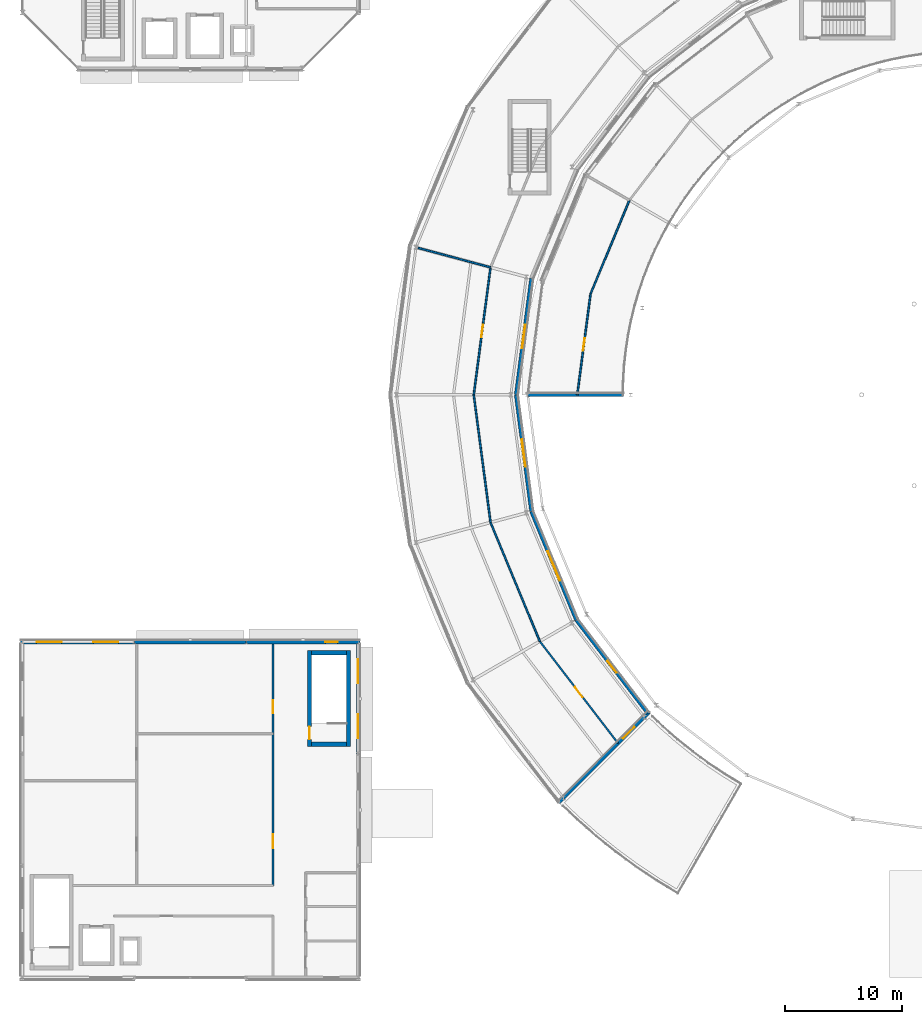
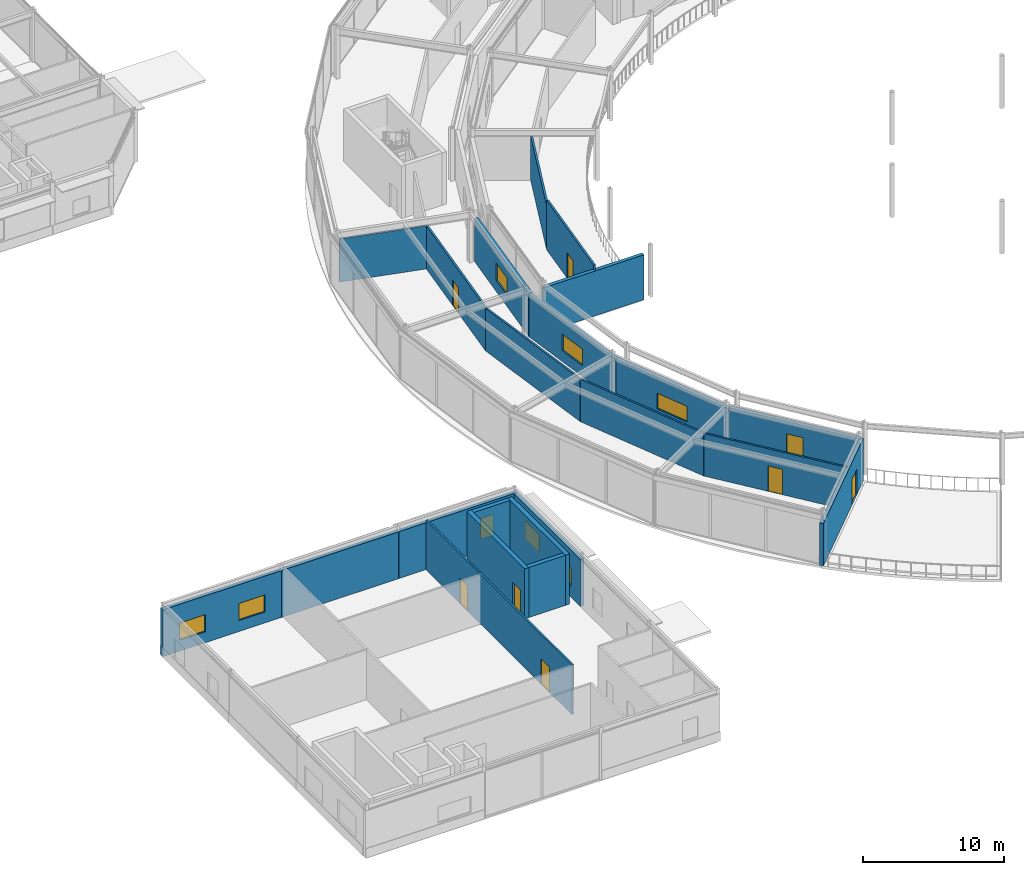
# One storey, part 101 of 133: 22 walls, 9 windows, 7 doors, 16 openings.
"""IFC4 building model written with IfcOpenShell, lengths in metres."""

import ifcopenshell
import ifcopenshell.guid

model = None  # the IFC model being written
_history = None  # IfcOwnerHistory: only IFC2X3 demands one
_inside = {}  # id of a spatial element -> (the spatial element, [elements in it])
_under = {}  # id of a project, library or spatial element -> (it, [spatial elements below it])
_declared = {}  # id of a project -> (the project, [libraries it declares])
_typed = {}  # id of a type object -> (the type object, [elements of that type])
_made_of = {}  # id of a material, layer set ... -> (it, [elements and type objects made of it])


def new_model(schema):
    """Start an empty IFC model of exactly this schema.

    Asked for "IFC4X3", IfcOpenShell would pick the latest addendum, in which some entities
    have other attributes; the version numbers below select the first issue.
    IFC2X3 requires an IfcOwnerHistory on every rooted entity: one is made here for all.
    """
    global model, _history
    if schema == "IFC4X3":
        model = ifcopenshell.file(schema_version=(4, 3, 0, 0))
    else:
        model = ifcopenshell.file(schema=schema)
    _inside.clear()
    _under.clear()
    _declared.clear()
    _typed.clear()
    _made_of.clear()
    _history = None
    if model.schema == "IFC2X3":
        org = make("IfcOrganization", Name="unknown")
        user = make(
            "IfcPersonAndOrganization",
            ThePerson=make("IfcPerson", FamilyName="unknown"),
            TheOrganization=org,
        )
        app = make(
            "IfcApplication",
            ApplicationDeveloper=org,
            Version="unknown",
            ApplicationFullName="unknown",
            ApplicationIdentifier="unknown",
        )
        _history = make(
            "IfcOwnerHistory",
            OwningUser=user,
            OwningApplication=app,
            ChangeAction="ADDED",
            CreationDate=0,
        )
    return model


def make(cls, **values):
    """One entity of the class cls with the attributes given. An attribute that is None is left unset."""
    return model.create_entity(
        cls, **{name: value for name, value in values.items() if value is not None}
    )


def rooted(cls, **values):
    """An entity with a GlobalId (a new one), such as an element, a storey or a relation."""
    return make(cls, GlobalId=ifcopenshell.guid.new(), OwnerHistory=_history, **values)


def si_unit(unit_type, name, prefix=None):
    """IfcSIUnit, for example si_unit("LENGTHUNIT", "METRE", prefix="MILLI")."""
    return make("IfcSIUnit", UnitType=unit_type, Prefix=prefix, Name=name)


def assignment(units):
    """IfcUnitAssignment: the units of a project."""
    return None if units is None else make("IfcUnitAssignment", Units=units)


def point(xyz):
    """IfcCartesianPoint."""
    return None if xyz is None else make("IfcCartesianPoint", Coordinates=xyz)


def direction(xyz):
    """IfcDirection."""
    return None if xyz is None else make("IfcDirection", DirectionRatios=xyz)


def frame(location, z_axis=None, x_axis=None):
    """IfcAxis2Placement3D, a coordinate frame: its origin and axes. An axis left out is left unset."""
    return make(
        "IfcAxis2Placement3D",
        Location=point(location),
        Axis=direction(z_axis),
        RefDirection=direction(x_axis),
    )


def frame_2d(location, x_axis=None):
    """IfcAxis2Placement2D, a coordinate frame in the plane: its origin and x axis."""
    return make(
        "IfcAxis2Placement2D", Location=point(location), RefDirection=direction(x_axis)
    )


def origin():
    """The frame at (0, 0, 0) with its axes left unset."""
    return frame((0.0, 0.0, 0.0))


def place(relative_to, where):
    """IfcLocalPlacement: puts the frame where relative to a parent placement (None: the world)."""
    return make(
        "IfcLocalPlacement", PlacementRelTo=relative_to, RelativePlacement=where
    )


def context(
    kind, dimensions, precision=None, world=None, true_north=None, identifier=None
):
    """IfcGeometricRepresentationContext, for example the 3D "Model" context."""
    return make(
        "IfcGeometricRepresentationContext",
        ContextIdentifier=identifier,
        ContextType=kind,
        CoordinateSpaceDimension=dimensions,
        Precision=precision,
        WorldCoordinateSystem=world,
        TrueNorth=true_north,
    )


def subcontext(parent, identifier, kind, view, scale=None):
    """IfcGeometricRepresentationSubContext, for example "Body" below "Model"."""
    return make(
        "IfcGeometricRepresentationSubContext",
        ContextIdentifier=identifier,
        ContextType=kind,
        ParentContext=parent,
        TargetScale=scale,
        TargetView=view,
    )


def project(units=None, contexts=None):
    """IfcProject with its units and contexts."""
    return rooted(
        "IfcProject",
        Name="project",
        RepresentationContexts=contexts,
        UnitsInContext=assignment(units),
    )


def spatial(cls, under=None, at=None, **own):
    """A site, building, storey or space (cls), placed at a placement, below another one or the project."""
    s = rooted(cls, ObjectPlacement=at, **own)
    if under is not None:
        _under.setdefault(under.id(), (under, []))[1].append(s)
    return s


def profile(cls, at=None, kind="AREA", **sizes):
    """A parametric profile (cls). Its sizes go by their IFC names, for example OverallWidth=200.0."""
    return make(cls, ProfileType=kind, Position=at, **sizes)


def rectangle(**sizes):
    """IfcRectangleProfileDef."""
    return profile("IfcRectangleProfileDef", **sizes)


def extrude(swept, where, along, depth):
    """IfcExtrudedAreaSolid: the profile swept, set in the frame where, extruded along a direction by depth."""
    return make(
        "IfcExtrudedAreaSolid",
        SweptArea=swept,
        Position=where,
        ExtrudedDirection=direction(along),
        Depth=depth,
    )


def shape(context_of_items, identifier, shape_type, items):
    """IfcShapeRepresentation: the items that make up one representation, for example the "Body"."""
    return make(
        "IfcShapeRepresentation",
        ContextOfItems=context_of_items,
        RepresentationIdentifier=identifier,
        RepresentationType=shape_type,
        Items=items,
    )


def material(Name=None, Category=None):
    """IfcMaterial."""
    return make("IfcMaterial", Name=Name, Category=Category)


def layer(
    of_material, thickness, ventilated=None, Name=None, Category=None, Priority=None
):
    """IfcMaterialLayer: one layer of a wall or slab, of a material (None: an air gap)."""
    return make(
        "IfcMaterialLayer",
        Material=of_material,
        LayerThickness=thickness,
        IsVentilated=ventilated,
        Name=Name,
        Category=Category,
        Priority=Priority,
    )


def layer_set(layers, Name=None):
    """IfcMaterialLayerSet."""
    return make("IfcMaterialLayerSet", MaterialLayers=layers, LayerSetName=Name)


def made_of(thing, what):
    """Note that an element or type object is made of a material, layer set ...; save() writes the relation."""
    if what is not None:
        _made_of.setdefault(what.id(), (what, []))[1].append(thing)
    return thing


def type_object(cls, material=None, **own):
    """A type object (cls), such as IfcWallType, which elements share."""
    return made_of(rooted(cls, **own), material)


def element(
    cls,
    number,
    at=None,
    inside=None,
    cuts=None,
    type_object=None,
    material=None,
    context=None,
    identifier="Body",
    shape_type=None,
    held_by="IfcProductDefinitionShape",
    body=None,
    shapes=None,
    **own,
):
    """One element of the class cls, such as IfcWall. Its Tag is "e" and its number.

    at: its placement. inside: the storey or other place that contains it. cuts: it is an
    opening in that element (IfcRelVoidsElement). A single representation is given by context,
    identifier, shape_type and body (its items); several are given by shapes. held_by: the class
    of the entity that holds the representations. save() writes the other relations.
    """
    e = rooted(cls, Tag="e%d" % number, ObjectPlacement=at, **own)
    if body is not None:
        shapes = [shape(context, identifier, shape_type, body)]
    if shapes is not None:
        e.Representation = make(held_by, Representations=shapes)
    if inside is not None:
        _inside.setdefault(inside.id(), (inside, []))[1].append(e)
    if cuts is not None:
        rooted(
            "IfcRelVoidsElement", RelatingBuildingElement=cuts, RelatedOpeningElement=e
        )
    if type_object is not None:
        _typed.setdefault(type_object.id(), (type_object, []))[1].append(e)
    return made_of(e, material)


def fill(opening, filler):
    """IfcRelFillsElement: the door or window that sits in an opening."""
    return rooted(
        "IfcRelFillsElement",
        RelatingOpeningElement=opening,
        RelatedBuildingElement=filler,
    )


def aggregate(whole, parts):
    """IfcRelAggregates: a whole, such as a stair, and the parts it consists of."""
    return rooted("IfcRelAggregates", RelatingObject=whole, RelatedObjects=parts)


def save(model, path):
    """Write the relations noted so far, then the file.

    IfcRelAggregates (storeys below a building ...), IfcRelContainedInSpatialStructure (elements
    in a storey), IfcRelDefinesByType, IfcRelAssociatesMaterial and IfcRelDeclares: one each for
    every whole, place, type object, material and project.
    """
    for whole, parts in _under.values():
        aggregate(whole, parts)
    for where, things in _inside.values():
        rooted(
            "IfcRelContainedInSpatialStructure",
            RelatedElements=things,
            RelatingStructure=where,
        )
    for kind, things in _typed.values():
        rooted("IfcRelDefinesByType", RelatedObjects=things, RelatingType=kind)
    for what, things in _made_of.values():
        rooted("IfcRelAssociatesMaterial", RelatedObjects=things, RelatingMaterial=what)
    for by, libraries in _declared.values():
        rooted("IfcRelDeclares", RelatingContext=by, RelatedDefinitions=libraries)
    model.write(path)


model = new_model("IFC4")

# Units and contexts
model_context = context("Model", 3, precision=1e-05, world=origin(), true_north=direction((0.0, 1.0)))
body_context = subcontext(model_context, "Body", "Model", "MODEL_VIEW")
ifc_project = project(units=[si_unit("LENGTHUNIT", "METRE"), si_unit("AREAUNIT", "SQUARE_METRE"), si_unit("VOLUMEUNIT", "CUBIC_METRE"), si_unit("PLANEANGLEUNIT", "RADIAN"), si_unit("MASSUNIT", "GRAM", prefix="KILO")], contexts=[model_context])

# Site, building, storey
site_placement = place(None, origin())
site = spatial("IfcSite", under=ifc_project, at=site_placement, CompositionType="ELEMENT")
building_placement = place(site_placement, origin())
building = spatial("IfcBuilding", under=site, at=building_placement, Name="Almandine Court Research Institute", CompositionType="ELEMENT")
storey_placement = place(building_placement, frame((0.0, 0.0, 9.800048828125)))
storey = spatial("IfcBuildingStorey", under=building, at=storey_placement, Name="L02", CompositionType="ELEMENT", Elevation=9.800048828125)

# Wall, openings, windows
ifc_material_1 = material(Name="Acoustic Lecture Pavilion Masonry Wall", Category="masonry")
ifc_layer_1 = layer(ifc_material_1, 0.31005859375)
ifc_layer_set_1 = layer_set([ifc_layer_1], Name="Acoustic Lecture Pavilion Masonry Wall")
wall_type_1 = type_object("IfcWallType", Name="Wall-EXT-ACOU-310", PredefinedType="SOLIDWALL", material=ifc_layer_set_1)
wall_1_placement = place(storey_placement, frame((5.844970703125, 34.800048828125, 0.0), z_axis=(0.0, 0.0, 1.0), x_axis=(1.0, 0.0, 0.0)))
wall_1 = element("IfcWall", 1, at=wall_1_placement, inside=storey, type_object=wall_type_1, Name="L02 Lecture Pavilion North Wall 1", PredefinedType="SOLIDWALL", context=body_context, shape_type="SweptSolid", body=[
    extrude(rectangle(XDim=9.7509765625, YDim=0.31005859375, at=frame_2d((4.87548828125, 0.0))), origin(), (0.0, 0.0, 1.0), 4.06396484375),
])
opening_1_placement = place(wall_1_placement, frame((1.363037109375, 0.0, 0.949951171875)))
opening_1 = element("IfcOpeningElement", 2, at=opening_1_placement, cuts=wall_1, Name="Opening WN-15", PredefinedType="OPENING", context=body_context, shape_type="SweptSolid", body=[
    extrude(rectangle(XDim=2.14990234375, YDim=1.47998046875, at=frame_2d((1.074951171875, 0.739990234375))), frame((0.0, 0.1650390625, 0.0), z_axis=(0.0, -1.0, 0.0), x_axis=(1.0, 0.0, 0.0)), (0.0, 0.0, 1.0), 0.330078125),
])
opening_2_placement = place(wall_1_placement, frame((6.238037109375, 0.0, 0.949951171875)))
opening_2 = element("IfcOpeningElement", 3, at=opening_2_placement, cuts=wall_1, Name="Opening WN-15", PredefinedType="OPENING", context=body_context, shape_type="SweptSolid", body=[
    extrude(rectangle(XDim=2.14990234375, YDim=1.47998046875, at=frame_2d((1.074951171875, 0.739990234375))), frame((0.0, 0.1650390625, 0.0), z_axis=(0.0, -1.0, 0.0), x_axis=(1.0, 0.0, 0.0)), (0.0, 0.0, 1.0), 0.330078125),
])
ifc_material_2 = material(Name="Thermally Broken Low-E Double-Glazed Window", Category="glass")
window_type_1 = type_object("IfcWindowType", Name="Win-WN-15-2150x1480", PartitioningType="SINGLE_PANEL", PredefinedType="WINDOW", material=ifc_material_2)
window_1_placement = place(opening_1_placement, origin())
window_1 = element("IfcWindow", 4, at=window_1_placement, inside=storey, type_object=window_type_1, Name="L02 Modular Recessed Low-E Window 26", OverallHeight=1.47998046875, OverallWidth=2.14990234375, PartitioningType="SINGLE_PANEL", PredefinedType="WINDOW", context=body_context, shape_type="SweptSolid", body=[
    extrude(rectangle(XDim=2.14990234375, YDim=1.47998046875, at=frame_2d((1.074951171875, 0.739990234375))), frame((0.0, 0.030029296875, 0.0), z_axis=(0.0, -1.0, 0.0), x_axis=(1.0, 0.0, 0.0)), (0.0, 0.0, 1.0), 0.06005859375),
])
fill(opening_1, window_1)
window_2_placement = place(opening_2_placement, origin())
window_2 = element("IfcWindow", 5, at=window_2_placement, inside=storey, type_object=window_type_1, Name="L02 Modular Recessed Low-E Window 27", OverallHeight=1.47998046875, OverallWidth=2.14990234375, PartitioningType="SINGLE_PANEL", PredefinedType="WINDOW", context=body_context, shape_type="SweptSolid", body=[
    extrude(rectangle(XDim=2.14990234375, YDim=1.47998046875, at=frame_2d((1.074951171875, 0.739990234375))), frame((0.0, 0.030029296875, 0.0), z_axis=(0.0, -1.0, 0.0), x_axis=(1.0, 0.0, 0.0)), (0.0, 0.0, 1.0), 0.06005859375),
])
fill(opening_2, window_2)

# Wall
wall_2_placement = place(storey_placement, frame((15.60400390625, 34.800048828125, 0.0), z_axis=(0.0, 0.0, 1.0), x_axis=(1.0, 0.0, 0.0)))
element("IfcWall", 6, at=wall_2_placement, inside=storey, type_object=wall_type_1, Name="L02 Lecture Pavilion North Wall 2", PredefinedType="SOLIDWALL", context=body_context, shape_type="SweptSolid", body=[
    extrude(rectangle(XDim=9.592041015625, YDim=0.31005859375, at=frame_2d((4.7958984375, 0.0))), origin(), (0.0, 0.0, 1.0), 4.06396484375),
])

# Wall, opening, window
wall_3_placement = place(storey_placement, frame((25.2041015625, 34.800048828125, 0.0), z_axis=(0.0, 0.0, 1.0), x_axis=(1.0, 0.0, 0.0)))
wall_3 = element("IfcWall", 7, at=wall_3_placement, inside=storey, type_object=wall_type_1, Name="L02 Lecture Pavilion North Wall 3", PredefinedType="SOLIDWALL", context=body_context, shape_type="SweptSolid", body=[
    extrude(rectangle(XDim=9.7509765625, YDim=0.31005859375, at=frame_2d((4.87548828125, 0.0))), origin(), (0.0, 0.0, 1.0), 4.06396484375),
])
opening_3_placement = place(wall_3_placement, frame((6.7880859375, 0.0, 0.949951171875)))
opening_3 = element("IfcOpeningElement", 8, at=opening_3_placement, cuts=wall_3, Name="Opening WN-16", PredefinedType="OPENING", context=body_context, shape_type="SweptSolid", body=[
    extrude(rectangle(XDim=1.050048828125, YDim=1.800048828125, at=frame_2d((0.52490234375, 0.89990234375))), frame((0.0, 0.1650390625, 0.0), z_axis=(0.0, -1.0, 0.0), x_axis=(1.0, 0.0, 0.0)), (0.0, 0.0, 1.0), 0.330078125),
])
window_type_2 = type_object("IfcWindowType", Name="Win-WN-16-1050x1800", PartitioningType="SINGLE_PANEL", PredefinedType="WINDOW", material=ifc_material_2)
window_3_placement = place(opening_3_placement, origin())
window_3 = element("IfcWindow", 9, at=window_3_placement, inside=storey, type_object=window_type_2, Name="L02 Modular Recessed Low-E Window 28", OverallHeight=1.800048828125, OverallWidth=1.050048828125, PartitioningType="SINGLE_PANEL", PredefinedType="WINDOW", context=body_context, shape_type="SweptSolid", body=[
    extrude(rectangle(XDim=1.050048828125, YDim=1.800048828125, at=frame_2d((0.52490234375, 0.89990234375))), frame((0.0, 0.030029296875, 0.0), z_axis=(0.0, -1.0, 0.0), x_axis=(1.0, 0.0, 0.0)), (0.0, 0.0, 1.0), 0.06005859375),
])
fill(opening_3, window_3)

# Wall, openings, windows
ifc_material_3 = material(Name="Insulated Ochre Terracotta Rainscreen Wall", Category="masonry")
ifc_layer_2 = layer(ifc_material_3, 0.2900390625)
ifc_layer_set_2 = layer_set([ifc_layer_2], Name="Insulated Ochre Terracotta Rainscreen Wall")
wall_type_2 = type_object("IfcWallType", Name="Wall-EXT-TERR-290", PredefinedType="SOLIDWALL", material=ifc_layer_set_2)
wall_4_placement = place(storey_placement, frame((34.800048828125, 34.65087890625, 0.0), z_axis=(0.0, 0.0, 1.0), x_axis=(0.0, -1.0, 0.0)))
wall_4 = element("IfcWall", 10, at=wall_4_placement, inside=storey, type_object=wall_type_2, Name="L02 Lecture Pavilion East Wall 3", PredefinedType="SOLIDWALL", context=body_context, shape_type="SweptSolid", body=[
    extrude(rectangle(XDim=9.44677734375, YDim=0.2900390625, at=frame_2d((4.723388671875, 0.0))), origin(), (0.0, 0.0, 1.0), 4.06396484375),
])
opening_4_placement = place(wall_4_placement, frame((1.342041015625, 0.0, 0.949951171875)))
opening_4 = element("IfcOpeningElement", 11, at=opening_4_placement, cuts=wall_4, Name="Opening WN-18", PredefinedType="OPENING", context=body_context, shape_type="SweptSolid", body=[
    extrude(rectangle(XDim=2.0400390625, YDim=1.56005859375, at=frame_2d((1.02001953125, 0.780029296875))), frame((0.0, 0.155029296875, 0.0), z_axis=(0.0, -1.0, 0.0), x_axis=(1.0, 0.0, 0.0)), (0.0, 0.0, 1.0), 0.31005859375),
])
opening_5_placement = place(wall_4_placement, frame((6.06494140625, 0.0, 0.949951171875)))
opening_5 = element("IfcOpeningElement", 12, at=opening_5_placement, cuts=wall_4, Name="Opening WN-18", PredefinedType="OPENING", context=body_context, shape_type="SweptSolid", body=[
    extrude(rectangle(XDim=2.0400390625, YDim=1.56005859375, at=frame_2d((1.02001953125, 0.780029296875))), frame((0.0, 0.155029296875, 0.0), z_axis=(0.0, -1.0, 0.0), x_axis=(1.0, 0.0, 0.0)), (0.0, 0.0, 1.0), 0.31005859375),
])
window_type_3 = type_object("IfcWindowType", Name="Win-WN-18-2040x1560", PartitioningType="SINGLE_PANEL", PredefinedType="WINDOW", material=ifc_material_2)
window_4_placement = place(opening_4_placement, origin())
window_4 = element("IfcWindow", 13, at=window_4_placement, inside=storey, type_object=window_type_3, Name="L02 Modular Recessed Low-E Window 31", OverallHeight=1.56005859375, OverallWidth=2.0400390625, PartitioningType="SINGLE_PANEL", PredefinedType="WINDOW", context=body_context, shape_type="SweptSolid", body=[
    extrude(rectangle(XDim=2.0400390625, YDim=1.56005859375, at=frame_2d((1.02001953125, 0.780029296875))), frame((0.0, 0.030029296875, 0.0), z_axis=(0.0, -1.0, 0.0), x_axis=(1.0, 0.0, 0.0)), (0.0, 0.0, 1.0), 0.06005859375),
])
fill(opening_4, window_4)
window_5_placement = place(opening_5_placement, origin())
window_5 = element("IfcWindow", 14, at=window_5_placement, inside=storey, type_object=window_type_3, Name="L02 Modular Recessed Low-E Window 32", OverallHeight=1.56005859375, OverallWidth=2.0400390625, PartitioningType="SINGLE_PANEL", PredefinedType="WINDOW", context=body_context, shape_type="SweptSolid", body=[
    extrude(rectangle(XDim=2.0400390625, YDim=1.56005859375, at=frame_2d((1.02001953125, 0.780029296875))), frame((0.0, 0.030029296875, 0.0), z_axis=(0.0, -1.0, 0.0), x_axis=(1.0, 0.0, 0.0)), (0.0, 0.0, 1.0), 0.06005859375),
])
fill(opening_5, window_5)

# Wall, opening, window
wall_5_placement = place(storey_placement, frame((49.656005859375, 66.0, 0.0), z_axis=(0.0, 0.0, 1.0), x_axis=(-0.130450126879, -0.991454872597, 0.0)))
wall_5 = element("IfcWall", 15, at=wall_5_placement, inside=storey, type_object=wall_type_2, Name="L02 Drum Inner Gallery Wall 11", PredefinedType="SOLIDWALL", context=body_context, shape_type="SweptSolid", body=[
    extrude(rectangle(XDim=10.080078125, YDim=0.2900390625, at=frame_2d((5.0400390625, 0.0))), origin(), (0.0, 0.0, 1.0), 3.73291015625),
])
opening_6_placement = place(wall_5_placement, frame((4.02001953125, 0.0, 0.949951171875)))
opening_6 = element("IfcOpeningElement", 16, at=opening_6_placement, cuts=wall_5, Name="Opening WN-24", PredefinedType="OPENING", context=body_context, shape_type="SweptSolid", body=[
    extrude(rectangle(XDim=2.0400390625, YDim=1.510009765625, at=frame_2d((1.02001953125, 0.7548828125))), frame((0.0, 0.155029296875, 0.0), z_axis=(0.0, -1.0, 0.0), x_axis=(1.0, 0.0, 0.0)), (0.0, 0.0, 1.0), 0.31005859375),
])
window_type_4 = type_object("IfcWindowType", Name="Win-WN-24-2040x1510", PartitioningType="SINGLE_PANEL", PredefinedType="WINDOW", material=ifc_material_2)
window_6_placement = place(opening_6_placement, origin())
window_6 = element("IfcWindow", 17, at=window_6_placement, inside=storey, type_object=window_type_4, Name="L02 Modular Recessed Low-E Window 271", OverallHeight=1.510009765625, OverallWidth=2.0400390625, PartitioningType="SINGLE_PANEL", PredefinedType="WINDOW", context=body_context, shape_type="SweptSolid", body=[
    extrude(rectangle(XDim=2.0400390625, YDim=1.510009765625, at=frame_2d((1.02001953125, 0.7548828125))), frame((0.0, 0.030029296875, 0.0), z_axis=(0.0, -1.0, 0.0), x_axis=(1.0, 0.0, 0.0)), (0.0, 0.0, 1.0), 0.06005859375),
])
fill(opening_6, window_6)

wall_6_placement = place(storey_placement, frame((48.341064453125, 55.993896484375, 0.0), z_axis=(0.0, 0.0, 1.0), x_axis=(0.130450126879, -0.991454872597, 0.0)))
wall_6 = element("IfcWall", 18, at=wall_6_placement, inside=storey, type_object=wall_type_2, Name="L02 Drum Inner Gallery Wall 12", PredefinedType="SOLIDWALL", context=body_context, shape_type="SweptSolid", body=[
    extrude(rectangle(XDim=10.080078125, YDim=0.2900390625, at=frame_2d((5.0400390625, 0.0))), origin(), (0.0, 0.0, 1.0), 3.68603515625),
])
opening_7_placement = place(wall_6_placement, frame((3.85498046875, 0.0, 0.949951171875)))
opening_7 = element("IfcOpeningElement", 19, at=opening_7_placement, cuts=wall_6, Name="Opening WN-25", PredefinedType="OPENING", context=body_context, shape_type="SweptSolid", body=[
    extrude(rectangle(XDim=2.3701171875, YDim=1.429931640625, at=frame_2d((1.18505859375, 0.71484375))), frame((0.0, 0.155029296875, 0.0), z_axis=(0.0, -1.0, 0.0), x_axis=(1.0, 0.0, 0.0)), (0.0, 0.0, 1.0), 0.31005859375),
])
window_type_5 = type_object("IfcWindowType", Name="Win-WN-25-2370x1430", PartitioningType="SINGLE_PANEL", PredefinedType="WINDOW", material=ifc_material_2)
window_7_placement = place(opening_7_placement, origin())
window_7 = element("IfcWindow", 20, at=window_7_placement, inside=storey, type_object=window_type_5, Name="L02 Modular Recessed Low-E Window 272", OverallHeight=1.429931640625, OverallWidth=2.3701171875, PartitioningType="SINGLE_PANEL", PredefinedType="WINDOW", context=body_context, shape_type="SweptSolid", body=[
    extrude(rectangle(XDim=2.3701171875, YDim=1.429931640625, at=frame_2d((1.18505859375, 0.71484375))), frame((0.0, 0.030029296875, 0.0), z_axis=(0.0, -1.0, 0.0), x_axis=(1.0, 0.0, 0.0)), (0.0, 0.0, 1.0), 0.06005859375),
])
fill(opening_7, window_7)

wall_7_placement = place(storey_placement, frame((49.658935546875, 45.988037109375, 0.0), z_axis=(0.0, 0.0, 1.0), x_axis=(0.382733240508, -0.92385889973, 0.0)))
wall_7 = element("IfcWall", 21, at=wall_7_placement, inside=storey, type_object=wall_type_2, Name="L02 Drum Inner Gallery Wall 13", PredefinedType="SOLIDWALL", context=body_context, shape_type="SweptSolid", body=[
    extrude(rectangle(XDim=10.08056640625, YDim=0.2900390625, at=frame_2d((5.040283203125, 0.0))), origin(), (0.0, 0.0, 1.0), 3.68603515625),
])
opening_8_placement = place(wall_7_placement, frame((3.68994140625, 0.0, 0.949951171875)))
opening_8 = element("IfcOpeningElement", 22, at=opening_8_placement, cuts=wall_7, Name="Opening WN-40", PredefinedType="OPENING", context=body_context, shape_type="SweptSolid", body=[
    extrude(rectangle(XDim=2.699951171875, YDim=1.35009765625, at=frame_2d((1.35009765625, 0.675048828125))), frame((0.0, 0.155029296875, 0.0), z_axis=(0.0, -1.0, 0.0), x_axis=(1.0, 0.0, 0.0)), (0.0, 0.0, 1.0), 0.31005859375),
])
window_type_6 = type_object("IfcWindowType", Name="Win-WN-40-2700x1350", PartitioningType="SINGLE_PANEL", PredefinedType="WINDOW", material=ifc_material_2)
window_8_placement = place(opening_8_placement, origin())
window_8 = element("IfcWindow", 23, at=window_8_placement, inside=storey, type_object=window_type_6, Name="L02 Modular Recessed Low-E Window 273", OverallHeight=1.35009765625, OverallWidth=2.699951171875, PartitioningType="SINGLE_PANEL", PredefinedType="WINDOW", context=body_context, shape_type="SweptSolid", body=[
    extrude(rectangle(XDim=2.699951171875, YDim=1.35009765625, at=frame_2d((1.35009765625, 0.675048828125))), frame((0.0, 0.030029296875, 0.0), z_axis=(0.0, -1.0, 0.0), x_axis=(1.0, 0.0, 0.0)), (0.0, 0.0, 1.0), 0.06005859375),
])
fill(opening_8, window_8)

wall_8_placement = place(storey_placement, frame((53.52294921875, 36.6650390625, 0.0), z_axis=(0.0, 0.0, 1.0), x_axis=(0.608737604027, -0.793371621275, 0.0)))
wall_8 = element("IfcWall", 24, at=wall_8_placement, inside=storey, type_object=wall_type_2, Name="L02 Drum Inner Gallery Wall 14", PredefinedType="SOLIDWALL", context=body_context, shape_type="SweptSolid", body=[
    extrude(rectangle(XDim=10.079833984375, YDim=0.2900390625, at=frame_2d((5.0400390625, 0.0))), origin(), (0.0, 0.0, 1.0), 3.76806640625),
])
opening_9_placement = place(wall_8_placement, frame((4.405029296875, 0.0, 0.949951171875)))
opening_9 = element("IfcOpeningElement", 25, at=opening_9_placement, cuts=wall_8, Name="Opening WN-41", PredefinedType="OPENING", context=body_context, shape_type="SweptSolid", body=[
    extrude(rectangle(XDim=1.27001953125, YDim=1.75, at=frame_2d((0.635009765625, 0.875))), frame((0.0, 0.155029296875, 0.0), z_axis=(0.0, -1.0, 0.0), x_axis=(1.0, 0.0, 0.0)), (0.0, 0.0, 1.0), 0.31005859375),
])
window_type_7 = type_object("IfcWindowType", Name="Win-WN-41-1270x1750", PartitioningType="SINGLE_PANEL", PredefinedType="WINDOW", material=ifc_material_2)
window_9_placement = place(opening_9_placement, origin())
window_9 = element("IfcWindow", 26, at=window_9_placement, inside=storey, type_object=window_type_7, Name="L02 Modular Recessed Low-E Window 274", OverallHeight=1.75, OverallWidth=1.27001953125, PartitioningType="SINGLE_PANEL", PredefinedType="WINDOW", context=body_context, shape_type="SweptSolid", body=[
    extrude(rectangle(XDim=1.27001953125, YDim=1.75, at=frame_2d((0.635009765625, 0.875))), frame((0.0, 0.030029296875, 0.0), z_axis=(0.0, -1.0, 0.0), x_axis=(1.0, 0.0, 0.0)), (0.0, 0.0, 1.0), 0.06005859375),
])
fill(opening_9, window_9)

# Wall, opening, door
wall_9_placement = place(storey_placement, frame((52.014892578125, 21.014892578125, 0.0), z_axis=(0.0, 0.0, 1.0), x_axis=(0.707106781187, 0.707106781187, 0.0)))
wall_9 = element("IfcWall", 27, at=wall_9_placement, inside=storey, type_object=wall_type_2, Name="L02 Drum Radial End Wall END", PredefinedType="SOLIDWALL", context=body_context, shape_type="SweptSolid", body=[
    extrude(rectangle(XDim=10.951904296875, YDim=0.2900390625, at=frame_2d((5.47607421875, 0.0))), origin(), (0.0, 0.0, 1.0), 3.68603515625),
])
opening_10_placement = place(wall_9_placement, frame((7.800048828125, 0.0, 0.0)))
opening_10 = element("IfcOpeningElement", 28, at=opening_10_placement, cuts=wall_9, Name="Opening TD-01", PredefinedType="OPENING", context=body_context, shape_type="SweptSolid", body=[
    extrude(rectangle(XDim=1.39990234375, YDim=2.199951171875, at=frame_2d((0.699951171875, 1.10009765625))), frame((0.0, 0.155029296875, 0.0), z_axis=(0.0, -1.0, 0.0), x_axis=(1.0, 0.0, 0.0)), (0.0, 0.0, 1.0), 0.31005859375),
])
ifc_material_4 = material(Name="Thermally Broken Glazed Terrace Door")
door_type_1 = type_object("IfcDoorType", Name="Door-TER-1400", OperationType="DOUBLE_DOOR_SINGLE_SWING", PredefinedType="DOOR", material=ifc_material_4)
door_1_placement = place(opening_10_placement, origin())
door_1 = element("IfcDoor", 29, at=door_1_placement, inside=storey, type_object=door_type_1, Name="L02 Drum END Stepped Ring Terrace Door", OperationType="DOUBLE_DOOR_SINGLE_SWING", OverallHeight=2.199951171875, OverallWidth=1.39990234375, PredefinedType="DOOR", context=body_context, shape_type="SweptSolid", body=[
    extrude(rectangle(XDim=1.39990234375, YDim=2.199951171875, at=frame_2d((0.699951171875, 1.10009765625))), frame((0.0, 0.02490234375, 0.0), z_axis=(0.0, -1.0, 0.0), x_axis=(1.0, 0.0, 0.0)), (0.0, 0.0, 1.0), 0.050048828125),
])
fill(opening_10, door_1)

# Wall
wall_10_placement = place(storey_placement, frame((49.3740234375, 56.0, 0.0), z_axis=(0.0, 0.0, 1.0), x_axis=(1.0, 0.0, 0.0)))
element("IfcWall", 30, at=wall_10_placement, inside=storey, type_object=wall_type_2, Name="L02 Atrium Gallery End Wall END", PredefinedType="SOLIDWALL", context=body_context, shape_type="SweptSolid", body=[
    extrude(rectangle(XDim=8.201904296875, YDim=0.2900390625, at=frame_2d((4.10107421875, 0.0))), origin(), (0.0, 0.0, 1.0), 3.89306640625),
])

# Wall, openings, doors
ifc_material_5 = material(Name="Acoustic Steel-Stud Gypsum Partition Wall", Category="steel")
ifc_layer_3 = layer(ifc_material_5, 0.14990234375)
ifc_layer_set_3 = layer_set([ifc_layer_3], Name="Acoustic Steel-Stud Gypsum Partition Wall")
wall_type_3 = type_object("IfcWallType", Name="Wall-PART-150", PredefinedType="PARTITIONING", material=ifc_layer_set_3)
wall_11_placement = place(storey_placement, frame((27.5, 13.89990234375, 0.0), z_axis=(0.0, 0.0, 1.0), x_axis=(0.0, 1.0, 0.0)))
wall_11 = element("IfcWall", 31, at=wall_11_placement, inside=storey, type_object=wall_type_3, Name="L02 Interior Partition W-V1-L02-E", PredefinedType="PARTITIONING", context=body_context, shape_type="SweptSolid", body=[
    extrude(rectangle(XDim=20.739990234375, YDim=0.14990234375, at=frame_2d((10.3701171875, 0.0))), origin(), (0.0, 0.0, 1.0), 4.300048828125),
])
opening_11_placement = place(wall_11_placement, frame((3.199951171875, 0.0, 0.0)))
opening_11 = element("IfcOpeningElement", 32, at=opening_11_placement, cuts=wall_11, Name="Opening D-04", PredefinedType="OPENING", context=body_context, shape_type="SweptSolid", body=[
    extrude(rectangle(XDim=1.199951171875, YDim=2.199951171875, at=frame_2d((0.60009765625, 1.10009765625))), frame((0.0, 0.0849609375, 0.0), z_axis=(0.0, -1.0, 0.0), x_axis=(1.0, 0.0, 0.0)), (0.0, 0.0, 1.0), 0.169921875),
])
opening_12_placement = place(wall_11_placement, frame((14.800048828125, 0.0, 0.0)))
opening_12 = element("IfcOpeningElement", 33, at=opening_12_placement, cuts=wall_11, Name="Opening D-03", PredefinedType="OPENING", context=body_context, shape_type="SweptSolid", body=[
    extrude(rectangle(XDim=1.10009765625, YDim=2.199951171875, at=frame_2d((0.550048828125, 1.10009765625))), frame((0.0, 0.0849609375, 0.0), z_axis=(0.0, -1.0, 0.0), x_axis=(1.0, 0.0, 0.0)), (0.0, 0.0, 1.0), 0.169921875),
])
ifc_material_6 = material(Name="Acoustic Vision-Panel Seminar Door")
door_type_2 = type_object("IfcDoorType", Name="Door-INT-1100", OperationType="NOTDEFINED", PredefinedType="DOOR", material=ifc_material_6)
door_2_placement = place(opening_12_placement, origin())
door_2 = element("IfcDoor", 34, at=door_2_placement, inside=storey, type_object=door_type_2, Name="L02 Seminar Room Door", OperationType="SINGLE_SWING_LEFT", OverallHeight=2.199951171875, OverallWidth=1.10009765625, PredefinedType="DOOR", context=body_context, shape_type="SweptSolid", body=[
    extrude(rectangle(XDim=1.10009765625, YDim=2.199951171875, at=frame_2d((0.550048828125, 1.10009765625))), frame((0.0, 0.02490234375, 0.0), z_axis=(0.0, -1.0, 0.0), x_axis=(1.0, 0.0, 0.0)), (0.0, 0.0, 1.0), 0.050048828125),
])
fill(opening_12, door_2)
ifc_material_7 = material(Name="Wide Acoustic Laboratory Suite Door")
door_type_3 = type_object("IfcDoorType", Name="Door-INT-1200", OperationType="NOTDEFINED", PredefinedType="DOOR", material=ifc_material_7)
door_3_placement = place(opening_11_placement, origin())
door_3 = element("IfcDoor", 35, at=door_3_placement, inside=storey, type_object=door_type_3, Name="L02 Colloquium Hall Door", OperationType="SINGLE_SWING_RIGHT", OverallHeight=2.199951171875, OverallWidth=1.199951171875, PredefinedType="DOOR", context=body_context, shape_type="SweptSolid", body=[
    extrude(rectangle(XDim=1.199951171875, YDim=2.199951171875, at=frame_2d((0.60009765625, 1.10009765625))), frame((0.0, 0.02490234375, 0.0), z_axis=(0.0, -1.0, 0.0), x_axis=(1.0, 0.0, 0.0)), (0.0, 0.0, 1.0), 0.050048828125),
])
fill(opening_11, door_3)

# Wall, opening, door
wall_12_placement = place(storey_placement, frame((46.160888671875, 66.943115234375, 0.0), z_axis=(0.0, 0.0, 1.0), x_axis=(-0.130546632054, -0.991442170204, 0.0)))
wall_12 = element("IfcWall", 36, at=wall_12_placement, inside=storey, type_object=wall_type_3, Name="L02 Interior Partition W-V5-L02-CHD-11", PredefinedType="PARTITIONING", context=body_context, shape_type="SweptSolid", body=[
    extrude(rectangle(XDim=11.03759765625, YDim=0.14990234375, at=frame_2d((5.518798828125, 0.0))), origin(), (0.0, 0.0, 1.0), 3.737060546875),
])
opening_13_placement = place(wall_12_placement, frame((4.949951171875, 0.0, 0.0)))
opening_13 = element("IfcOpeningElement", 37, at=opening_13_placement, cuts=wall_12, Name="Opening D-03", PredefinedType="OPENING", context=body_context, shape_type="SweptSolid", body=[
    extrude(rectangle(XDim=1.10009765625, YDim=2.199951171875, at=frame_2d((0.550048828125, 1.10009765625))), frame((0.0, 0.0849609375, 0.0), z_axis=(0.0, -1.0, 0.0), x_axis=(1.0, 0.0, 0.0)), (0.0, 0.0, 1.0), 0.169921875),
])
door_4_placement = place(opening_13_placement, origin())
door_4 = element("IfcDoor", 38, at=door_4_placement, inside=storey, type_object=door_type_2, Name="L02 Drum Calibration Suite Door", OperationType="SINGLE_SWING_LEFT", OverallHeight=2.199951171875, OverallWidth=1.10009765625, PredefinedType="DOOR", context=body_context, shape_type="SweptSolid", body=[
    extrude(rectangle(XDim=1.10009765625, YDim=2.199951171875, at=frame_2d((0.550048828125, 1.10009765625))), frame((0.0, 0.02490234375, 0.0), z_axis=(0.0, -1.0, 0.0), x_axis=(1.0, 0.0, 0.0)), (0.0, 0.0, 1.0), 0.050048828125),
])
fill(opening_13, door_4)

# Walls
wall_13_placement = place(storey_placement, frame((44.719970703125, 56.0, 0.0), z_axis=(0.0, 0.0, 1.0), x_axis=(0.130546632054, -0.991442170204, 0.0)))
element("IfcWall", 39, at=wall_13_placement, inside=storey, type_object=wall_type_3, Name="L02 Interior Partition W-V5-L02-CHD-12", PredefinedType="PARTITIONING", context=body_context, shape_type="SweptSolid", body=[
    extrude(rectangle(XDim=11.03759765625, YDim=0.14990234375, at=frame_2d((5.518798828125, 0.0))), origin(), (0.0, 0.0, 1.0), 3.68994140625),
])
wall_14_placement = place(storey_placement, frame((46.160888671875, 45.056884765625, 0.0), z_axis=(0.0, 0.0, 1.0), x_axis=(0.382644845446, -0.923895514793, 0.0)))
element("IfcWall", 40, at=wall_14_placement, inside=storey, type_object=wall_type_3, Name="L02 Interior Partition W-V5-L02-CHD-13", PredefinedType="PARTITIONING", context=body_context, shape_type="SweptSolid", body=[
    extrude(rectangle(XDim=11.03662109375, YDim=0.14990234375, at=frame_2d((5.518310546875, 0.0))), origin(), (0.0, 0.0, 1.0), 3.68994140625),
])

# Wall, opening, door
wall_15_placement = place(storey_placement, frame((50.384033203125, 34.860107421875, 0.0), z_axis=(0.0, 0.0, 1.0), x_axis=(0.608828497024, -0.793301872689, 0.0)))
wall_15 = element("IfcWall", 41, at=wall_15_placement, inside=storey, type_object=wall_type_3, Name="L02 Interior Partition W-V5-L02-CHD-14", PredefinedType="PARTITIONING", context=body_context, shape_type="SweptSolid", body=[
    extrude(rectangle(XDim=11.03759765625, YDim=0.14990234375, at=frame_2d((5.518798828125, 0.0))), origin(), (0.0, 0.0, 1.0), 3.68994140625),
])
opening_14_placement = place(wall_15_placement, frame((4.949951171875, 0.0, 0.0)))
opening_14 = element("IfcOpeningElement", 42, at=opening_14_placement, cuts=wall_15, Name="Opening D-03", PredefinedType="OPENING", context=body_context, shape_type="SweptSolid", body=[
    extrude(rectangle(XDim=1.10009765625, YDim=2.199951171875, at=frame_2d((0.550048828125, 1.10009765625))), frame((0.0, 0.0849609375, 0.0), z_axis=(0.0, -1.0, 0.0), x_axis=(1.0, 0.0, 0.0)), (0.0, 0.0, 1.0), 0.169921875),
])
door_5_placement = place(opening_14_placement, origin())
door_5 = element("IfcDoor", 43, at=door_5_placement, inside=storey, type_object=door_type_2, Name="L02 Drum Write-up Office Door", OperationType="SINGLE_SWING_RIGHT", OverallHeight=2.199951171875, OverallWidth=1.10009765625, PredefinedType="DOOR", context=body_context, shape_type="SweptSolid", body=[
    extrude(rectangle(XDim=1.10009765625, YDim=2.199951171875, at=frame_2d((0.550048828125, 1.10009765625))), frame((0.0, 0.02490234375, 0.0), z_axis=(0.0, -1.0, 0.0), x_axis=(1.0, 0.0, 0.0)), (0.0, 0.0, 1.0), 0.050048828125),
])
fill(opening_14, door_5)

# Walls
wall_16_placement = place(storey_placement, frame((46.160888671875, 66.943115234375, 0.0), z_axis=(0.0, 0.0, 1.0), x_axis=(-0.965922162166, 0.258832719409, 0.0)))
element("IfcWall", 44, at=wall_16_placement, inside=storey, type_object=wall_type_3, Name="L02 Interior Partition W-V5-L02-RAD-11", PredefinedType="PARTITIONING", context=body_context, shape_type="SweptSolid", body=[
    extrude(rectangle(XDim=6.4404296875, YDim=0.14990234375, at=frame_2d((3.22021484375, 0.0))), origin(), (0.0, 0.0, 1.0), 3.737060546875),
])
wall_17_placement = place(storey_placement, frame((58.074951171875, 72.699951171875, 0.0), z_axis=(0.0, 0.0, 1.0), x_axis=(-0.382727695016, -0.923861197079, 0.0)))
element("IfcWall", 45, at=wall_17_placement, inside=storey, type_object=wall_type_3, Name="L02 Interior Partition W-V2-L02-CHD-10", PredefinedType="PARTITIONING", context=body_context, shape_type="SweptSolid", body=[
    extrude(rectangle(XDim=8.71875, YDim=0.14990234375, at=frame_2d((4.359375, 0.0))), origin(), (0.0, 0.0, 1.0), 3.81494140625),
])

# Wall, opening, door
wall_18_placement = place(storey_placement, frame((54.738037109375, 64.64501953125, 0.0), z_axis=(0.0, 0.0, 1.0), x_axis=(-0.130503763364, -0.991447813931, 0.0)))
wall_18 = element("IfcWall", 46, at=wall_18_placement, inside=storey, type_object=wall_type_3, Name="L02 Interior Partition W-V2-L02-CHD-11", PredefinedType="PARTITIONING", context=body_context, shape_type="SweptSolid", body=[
    extrude(rectangle(XDim=8.719482421875, YDim=0.14990234375, at=frame_2d((4.35986328125, 0.0))), origin(), (0.0, 0.0, 1.0), 4.300048828125),
])
opening_15_placement = place(wall_18_placement, frame((3.81005859375, 0.0, 0.0)))
opening_15 = element("IfcOpeningElement", 47, at=opening_15_placement, cuts=wall_18, Name="Opening D-03", PredefinedType="OPENING", context=body_context, shape_type="SweptSolid", body=[
    extrude(rectangle(XDim=1.10009765625, YDim=2.199951171875, at=frame_2d((0.550048828125, 1.10009765625))), frame((0.0, 0.0849609375, 0.0), z_axis=(0.0, -1.0, 0.0), x_axis=(1.0, 0.0, 0.0)), (0.0, 0.0, 1.0), 0.169921875),
])
door_6_placement = place(opening_15_placement, origin())
door_6 = element("IfcDoor", 48, at=door_6_placement, inside=storey, type_object=door_type_2, Name="L02 Atrium Poster Exhibition Gallery Door", OperationType="SINGLE_SWING_LEFT", OverallHeight=2.199951171875, OverallWidth=1.10009765625, PredefinedType="DOOR", context=body_context, shape_type="SweptSolid", body=[
    extrude(rectangle(XDim=1.10009765625, YDim=2.199951171875, at=frame_2d((0.550048828125, 1.10009765625))), frame((0.0, 0.02490234375, 0.0), z_axis=(0.0, -1.0, 0.0), x_axis=(1.0, 0.0, 0.0)), (0.0, 0.0, 1.0), 0.050048828125),
])
fill(opening_15, door_6)

ifc_material_8 = material(Name="Concrete C40/50", Category="concrete")
ifc_layer_4 = layer(ifc_material_8, 0.35009765625)
ifc_layer_set_4 = layer_set([ifc_layer_4], Name="Concrete C40/50")
wall_type_4 = type_object("IfcWallType", Name="Wall-SW-CORE-350", PredefinedType="SHEAR", material=ifc_layer_set_4)
wall_19_placement = place(storey_placement, frame((30.625, 25.85009765625, 0.0), z_axis=(0.0, 0.0, 1.0), x_axis=(0.0, 1.0, 0.0)))
wall_19 = element("IfcWall", 49, at=wall_19_placement, inside=storey, type_object=wall_type_4, Name="L02 ST-02 W Shear Wall", PredefinedType="SHEAR", context=body_context, shape_type="SweptSolid", body=[
    extrude(rectangle(XDim=8.199951171875, YDim=0.35009765625, at=frame_2d((4.10009765625, 0.0))), origin(), (0.0, 0.0, 1.0), 4.349853515625),
])
opening_16_placement = place(wall_19_placement, frame((0.60009765625, 0.0, 0.0)))
opening_16 = element("IfcOpeningElement", 50, at=opening_16_placement, cuts=wall_19, Name="Opening FD-STAIR", PredefinedType="OPENING", context=body_context, shape_type="SweptSolid", body=[
    extrude(rectangle(XDim=1.10009765625, YDim=2.14990234375, at=frame_2d((0.550048828125, 1.074951171875))), frame((0.0, 0.18505859375, 0.0), z_axis=(0.0, -1.0, 0.0), x_axis=(1.0, 0.0, 0.0)), (0.0, 0.0, 1.0), 0.3701171875),
])
ifc_material_9 = material(Name="Self-Closing Steel Exit Stair Fire Door", Category="steel")
door_type_4 = type_object("IfcDoorType", Name="Door-FD-STAIR-1100", OperationType="NOTDEFINED", PredefinedType="DOOR", material=ifc_material_9)
door_7_placement = place(opening_16_placement, origin())
door_7 = element("IfcDoor", 51, at=door_7_placement, inside=storey, type_object=door_type_4, Name="L02 Exit Stair ST-02 Fire Door", OperationType="SINGLE_SWING_LEFT", OverallHeight=2.14990234375, OverallWidth=1.10009765625, PredefinedType="DOOR", context=body_context, shape_type="SweptSolid", body=[
    extrude(rectangle(XDim=1.10009765625, YDim=2.14990234375, at=frame_2d((0.550048828125, 1.074951171875))), frame((0.0, 0.02490234375, 0.0), z_axis=(0.0, -1.0, 0.0), x_axis=(1.0, 0.0, 0.0)), (0.0, 0.0, 1.0), 0.050048828125),
])
fill(opening_16, door_7)

# Walls
wall_20_placement = place(storey_placement, frame((30.800048828125, 33.875, 0.0), z_axis=(0.0, 0.0, 1.0), x_axis=(1.0, 0.0, 0.0)))
element("IfcWall", 52, at=wall_20_placement, inside=storey, type_object=wall_type_4, Name="L02 ST-02 N Shear Wall", PredefinedType="SHEAR", context=body_context, shape_type="SweptSolid", body=[
    extrude(rectangle(XDim=3.0, YDim=0.35009765625, at=frame_2d((1.5, 0.0))), origin(), (0.0, 0.0, 1.0), 4.349853515625),
])
wall_21_placement = place(storey_placement, frame((33.97509765625, 34.050048828125, 0.0), z_axis=(0.0, 0.0, 1.0), x_axis=(0.0, -1.0, 0.0)))
element("IfcWall", 53, at=wall_21_placement, inside=storey, type_object=wall_type_4, Name="L02 ST-02 E Shear Wall", PredefinedType="SHEAR", context=body_context, shape_type="SweptSolid", body=[
    extrude(rectangle(XDim=8.199951171875, YDim=0.35009765625, at=frame_2d((4.10009765625, 0.0))), origin(), (0.0, 0.0, 1.0), 4.349853515625),
])
wall_22_placement = place(storey_placement, frame((33.800048828125, 26.02490234375, 0.0), z_axis=(0.0, 0.0, 1.0), x_axis=(-1.0, 0.0, 0.0)))
element("IfcWall", 54, at=wall_22_placement, inside=storey, type_object=wall_type_4, Name="L02 ST-02 S Shear Wall", PredefinedType="SHEAR", context=body_context, shape_type="SweptSolid", body=[
    extrude(rectangle(XDim=3.0, YDim=0.35009765625, at=frame_2d((1.5, 0.0))), origin(), (0.0, 0.0, 1.0), 4.349853515625),
])

save(model, "model.ifc")
